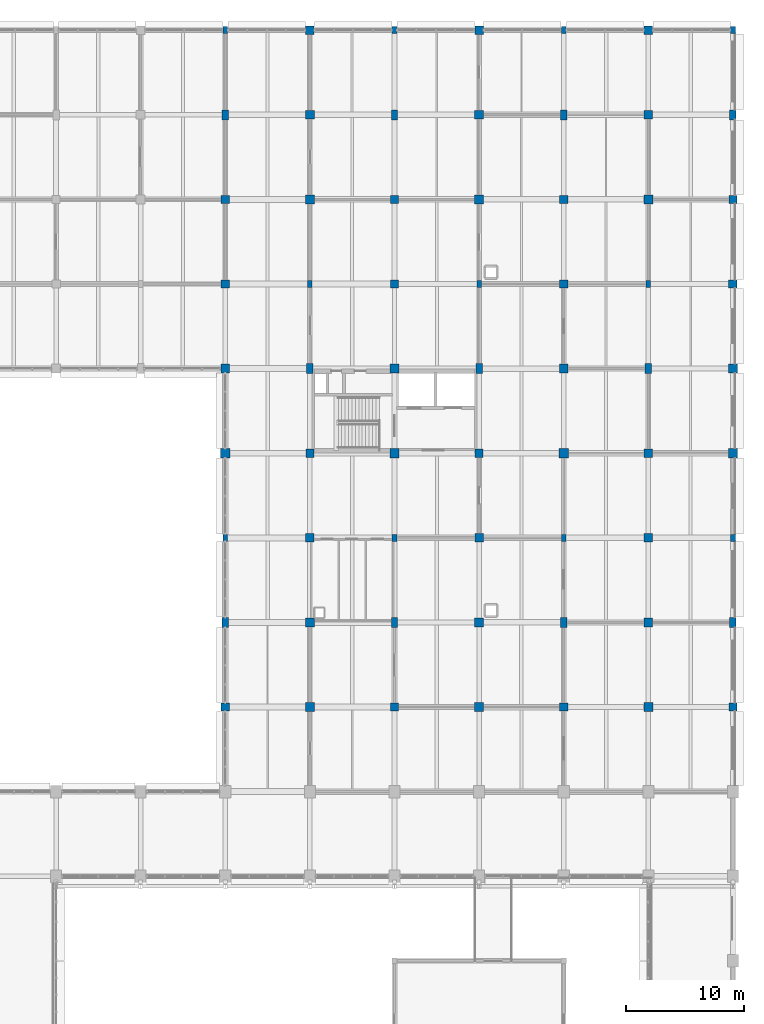
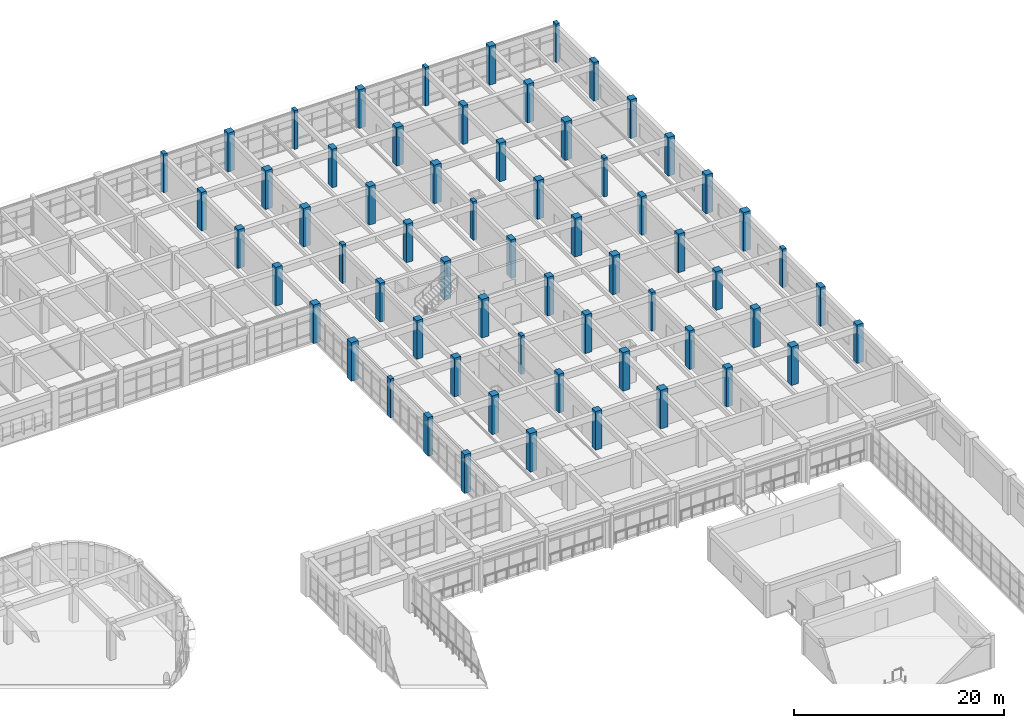
# One storey, part 10 of 171: 63 columns.
"""IFC4 building model written with IfcOpenShell, lengths in metres."""

from ifc_helpers import new_model, si_unit, direction, frame, origin, origin_2d, place, context, subcontext, project, spatial, rectangle, extrude, material, material_profile, profile_set, type_object, element, save


model = new_model("IFC4")

# Units and contexts
model_context = context("Model", 3, precision=1e-05, world=origin(), true_north=direction((0.0, 1.0)))
body_context = subcontext(model_context, "Body", "Model", "MODEL_VIEW")
ifc_project = project(units=[si_unit("LENGTHUNIT", "METRE"), si_unit("AREAUNIT", "SQUARE_METRE"), si_unit("VOLUMEUNIT", "CUBIC_METRE"), si_unit("PLANEANGLEUNIT", "RADIAN"), si_unit("MASSUNIT", "GRAM", prefix="KILO")], contexts=[model_context])

# Site, building, storey
site_placement = place(None, origin())
site = spatial("IfcSite", under=ifc_project, at=site_placement, CompositionType="ELEMENT")
building_placement = place(site_placement, origin())
building = spatial("IfcBuilding", under=site, at=building_placement, Name="Thalmaran Polytechnic", CompositionType="ELEMENT")
storey_placement = place(building_placement, frame((0.0, 0.0, 5.39990234375)))
storey = spatial("IfcBuildingStorey", under=building, at=storey_placement, Name="L01", CompositionType="ELEMENT", Elevation=5.39990234375)

# Columns
ifc_material_1 = material(Name="Concrete C50/60", Category="concrete")
ifc_material_profile_1 = material_profile(ifc_material_1, rectangle(XDim=0.75, YDim=0.75, at=origin_2d()), Name="RC 750x750")
ifc_profile_set_1 = profile_set([ifc_material_profile_1], Name="Concrete C50/60")
column_type_1 = type_object("IfcColumnType", Name="COL-C04", PredefinedType="COLUMN", material=ifc_profile_set_1)
for number, where, z_axis, x_axis, name in (
    (1, (129.60009765625, 93.60009765625, 0.0), (0.0, 0.0, 1.0), (1.0, 0.0, 0.0), "Column C04 L01 (18,13)"),
    (2, (136.800048828125, 72.0, 0.0), (0.0, 0.0, 1.0), (1.0, 0.0, 0.0), "Column C04 L01 (19,10)"),
    (3, (136.800048828125, 115.199951171875, 0.0), (0.0, 0.0, 1.0), (1.0, 0.0, 0.0), "Column C04 L01 (19,16)"),
    (4, (144.0, 93.60009765625, 0.0), (0.0, 0.0, 1.0), (1.0, 0.0, 0.0), "Column C04 L01 (20,13)"),
    (5, (151.199951171875, 72.0, 0.0), (0.0, 0.0, 1.0), (1.0, 0.0, 0.0), "Column C04 L01 (21,10)"),
    (6, (151.199951171875, 115.199951171875, 0.0), (0.0, 0.0, 1.0), (1.0, 0.0, 0.0), "Column C04 L01 (21,16)"),
    (7, (158.39990234375, 93.60009765625, 0.0), (0.0, 0.0, 1.0), (1.0, 0.0, 0.0), "Column C04 L01 (22,13)"),
    (8, (165.60009765625, 72.0, 0.0), (0.0, 0.0, 1.0), (1.0, 0.0, 0.0), "Column C04 L01 (23,10)"),
    (9, (165.60009765625, 115.199951171875, 0.0), (0.0, 0.0, 1.0), (1.0, 0.0, 0.0), "Column C04 L01 (23,16)"),
    (10, (172.800048828125, 93.60009765625, 0.0), (0.0, 0.0, 1.0), (1.0, 0.0, 0.0), "Column C04 L01 (24,13)"),
):
    element("IfcColumn", number, at=place(storey_placement, frame(where, z_axis=z_axis, x_axis=x_axis)), inside=storey, type_object=column_type_1, Name=name, PredefinedType="COLUMN", context=body_context, shape_type="SweptSolid", body=[
        extrude(rectangle(XDim=0.75, YDim=0.75, at=origin_2d()), origin(), (0.0, 0.0, 1.0), 4.5),
    ])
ifc_material_profile_2 = material_profile(ifc_material_1, rectangle(XDim=0.699951171875, YDim=0.699951171875, at=origin_2d()), Name="RC 700x700")
ifc_profile_set_2 = profile_set([ifc_material_profile_2], Name="Concrete C50/60")
column_type_2 = type_object("IfcColumnType", Name="COL-C05", PredefinedType="COLUMN", material=ifc_profile_set_2)
for number, where, z_axis, x_axis, name in (
    (11, (129.60009765625, 64.800048828125, 0.0), (0.0, 0.0, 1.0), (1.0, 0.0, 0.0), "Column C05 L01 (18,9)"),
    (12, (129.60009765625, 108.0, 0.0), (0.0, 0.0, 1.0), (1.0, 0.0, 0.0), "Column C05 L01 (18,15)"),
    (13, (136.800048828125, 86.39990234375, 0.0), (0.0, 0.0, 1.0), (1.0, 0.0, 0.0), "Column C05 L01 (19,12)"),
    (14, (144.0, 64.800048828125, 0.0), (0.0, 0.0, 1.0), (1.0, 0.0, 0.0), "Column C05 L01 (20,9)"),
    (15, (144.0, 108.0, 0.0), (0.0, 0.0, 1.0), (1.0, 0.0, 0.0), "Column C05 L01 (20,15)"),
    (16, (151.199951171875, 86.39990234375, 0.0), (0.0, 0.0, 1.0), (1.0, 0.0, 0.0), "Column C05 L01 (21,12)"),
    (17, (158.39990234375, 64.800048828125, 0.0), (0.0, 0.0, 1.0), (1.0, 0.0, 0.0), "Column C05 L01 (22,9)"),
    (18, (158.39990234375, 108.0, 0.0), (0.0, 0.0, 1.0), (1.0, 0.0, 0.0), "Column C05 L01 (22,15)"),
    (19, (165.60009765625, 86.39990234375, 0.0), (0.0, 0.0, 1.0), (1.0, 0.0, 0.0), "Column C05 L01 (23,12)"),
    (20, (172.800048828125, 64.800048828125, 0.0), (0.0, 0.0, 1.0), (1.0, 0.0, 0.0), "Column C05 L01 (24,9)"),
    (21, (172.800048828125, 108.0, 0.0), (0.0, 0.0, 1.0), (1.0, 0.0, 0.0), "Column C05 L01 (24,15)"),
):
    element("IfcColumn", number, at=place(storey_placement, frame(where, z_axis=z_axis, x_axis=x_axis)), inside=storey, type_object=column_type_2, Name=name, PredefinedType="COLUMN", context=body_context, shape_type="SweptSolid", body=[
        extrude(rectangle(XDim=0.699951171875, YDim=0.699951171875, at=origin_2d()), origin(), (0.0, 0.0, 1.0), 4.5),
    ])
ifc_material_profile_3 = material_profile(ifc_material_1, rectangle(XDim=0.550048828125, YDim=0.85009765625, at=origin_2d()), Name="RC 550x850")
ifc_profile_set_3 = profile_set([ifc_material_profile_3], Name="Concrete C50/60")
column_type_3 = type_object("IfcColumnType", Name="COL-C12", PredefinedType="COLUMN", material=ifc_profile_set_3)
for number, where, z_axis, x_axis, name in (
    (22, (129.60009765625, 72.0, 0.0), (0.0, 0.0, 1.0), (1.0, 0.0, 0.0), "Column C12 L01 (18,10)"),
    (23, (129.60009765625, 115.199951171875, 0.0), (0.0, 0.0, 1.0), (1.0, 0.0, 0.0), "Column C12 L01 (18,16)"),
    (24, (136.800048828125, 93.60009765625, 0.0), (0.0, 0.0, 1.0), (1.0, 0.0, 0.0), "Column C12 L01 (19,13)"),
    (25, (144.0, 72.0, 0.0), (0.0, 0.0, 1.0), (1.0, 0.0, 0.0), "Column C12 L01 (20,10)"),
    (26, (144.0, 115.199951171875, 0.0), (0.0, 0.0, 1.0), (1.0, 0.0, 0.0), "Column C12 L01 (20,16)"),
    (27, (151.199951171875, 93.60009765625, 0.0), (0.0, 0.0, 1.0), (1.0, 0.0, 0.0), "Column C12 L01 (21,13)"),
    (28, (158.39990234375, 72.0, 0.0), (0.0, 0.0, 1.0), (1.0, 0.0, 0.0), "Column C12 L01 (22,10)"),
    (29, (158.39990234375, 115.199951171875, 0.0), (0.0, 0.0, 1.0), (1.0, 0.0, 0.0), "Column C12 L01 (22,16)"),
    (30, (165.60009765625, 93.60009765625, 0.0), (0.0, 0.0, 1.0), (1.0, 0.0, 0.0), "Column C12 L01 (23,13)"),
    (31, (172.800048828125, 72.0, 0.0), (0.0, 0.0, 1.0), (1.0, 0.0, 0.0), "Column C12 L01 (24,10)"),
    (32, (172.800048828125, 115.199951171875, 0.0), (0.0, 0.0, 1.0), (1.0, 0.0, 0.0), "Column C12 L01 (24,16)"),
):
    element("IfcColumn", number, at=place(storey_placement, frame(where, z_axis=z_axis, x_axis=x_axis)), inside=storey, type_object=column_type_3, Name=name, PredefinedType="COLUMN", context=body_context, shape_type="SweptSolid", body=[
        extrude(rectangle(XDim=0.550048828125, YDim=0.85009765625, at=origin_2d()), origin(), (0.0, 0.0, 1.0), 4.5),
    ])
ifc_material_2 = material(Name="Concrete C40/50", Category="concrete")
ifc_material_profile_4 = material_profile(ifc_material_2, rectangle(XDim=0.39990234375, YDim=0.60009765625, at=origin_2d()), Name="RC 400x600")
ifc_profile_set_4 = profile_set([ifc_material_profile_4], Name="Concrete C40/50")
column_type_4 = type_object("IfcColumnType", Name="COL-PL2", PredefinedType="PILASTER", material=ifc_profile_set_4)
for number, where, z_axis, x_axis, name in (
    (33, (129.60009765625, 79.199951171875, 0.0), (0.0, 0.0, 1.0), (1.0, 0.0, 0.0), "Column PL2 L01 (18,11)"),
    (34, (129.60009765625, 122.39990234375, 0.0), (0.0, 0.0, 1.0), (1.0, 0.0, 0.0), "Column PL2 L01 (18,17)"),
    (35, (136.800048828125, 100.800048828125, 0.0), (0.0, 0.0, 1.0), (1.0, 0.0, 0.0), "Column PL2 L01 (19,14)"),
    (36, (144.0, 79.199951171875, 0.0), (0.0, 0.0, 1.0), (1.0, 0.0, 0.0), "Column PL2 L01 (20,11)"),
    (37, (144.0, 122.39990234375, 0.0), (0.0, 0.0, 1.0), (1.0, 0.0, 0.0), "Column PL2 L01 (20,17)"),
    (38, (151.199951171875, 100.800048828125, 0.0), (0.0, 0.0, 1.0), (1.0, 0.0, 0.0), "Column PL2 L01 (21,14)"),
    (39, (158.39990234375, 79.199951171875, 0.0), (0.0, 0.0, 1.0), (1.0, 0.0, 0.0), "Column PL2 L01 (22,11)"),
    (40, (158.39990234375, 122.39990234375, 0.0), (0.0, 0.0, 1.0), (1.0, 0.0, 0.0), "Column PL2 L01 (22,17)"),
    (41, (165.60009765625, 100.800048828125, 0.0), (0.0, 0.0, 1.0), (1.0, 0.0, 0.0), "Column PL2 L01 (23,14)"),
    (42, (172.800048828125, 79.199951171875, 0.0), (0.0, 0.0, 1.0), (1.0, 0.0, 0.0), "Column PL2 L01 (24,11)"),
    (43, (172.800048828125, 122.39990234375, 0.0), (0.0, 0.0, 1.0), (1.0, 0.0, 0.0), "Column PL2 L01 (24,17)"),
):
    element("IfcColumn", number, at=place(storey_placement, frame(where, z_axis=z_axis, x_axis=x_axis)), inside=storey, type_object=column_type_4, Name=name, PredefinedType="PILASTER", context=body_context, shape_type="SweptSolid", body=[
        extrude(rectangle(XDim=0.39990234375, YDim=0.60009765625, at=origin_2d()), origin(), (0.0, 0.0, 1.0), 4.5),
    ])
ifc_material_profile_5 = material_profile(ifc_material_1, rectangle(XDim=0.780029296875, YDim=0.780029296875, at=origin_2d()), Name="RC 780x780")
ifc_profile_set_5 = profile_set([ifc_material_profile_5], Name="Concrete C50/60")
column_type_5 = type_object("IfcColumnType", Name="COL-ZC03", PredefinedType="COLUMN", material=ifc_profile_set_5)
for number, where, z_axis, x_axis, name in (
    (44, (129.60009765625, 86.39990234375, 0.0), (0.0, 0.0, 1.0), (1.0, 0.0, 0.0), "Column ZC03 L01 (18,12)"),
    (45, (136.800048828125, 64.800048828125, 0.0), (0.0, 0.0, 1.0), (1.0, 0.0, 0.0), "Column ZC03 L01 (19,9)"),
    (46, (136.800048828125, 108.0, 0.0), (0.0, 0.0, 1.0), (1.0, 0.0, 0.0), "Column ZC03 L01 (19,15)"),
    (47, (144.0, 86.39990234375, 0.0), (0.0, 0.0, 1.0), (1.0, 0.0, 0.0), "Column ZC03 L01 (20,12)"),
    (48, (151.199951171875, 64.800048828125, 0.0), (0.0, 0.0, 1.0), (1.0, 0.0, 0.0), "Column ZC03 L01 (21,9)"),
    (49, (151.199951171875, 108.0, 0.0), (0.0, 0.0, 1.0), (1.0, 0.0, 0.0), "Column ZC03 L01 (21,15)"),
    (50, (158.39990234375, 86.39990234375, 0.0), (0.0, 0.0, 1.0), (1.0, 0.0, 0.0), "Column ZC03 L01 (22,12)"),
    (51, (165.60009765625, 64.800048828125, 0.0), (0.0, 0.0, 1.0), (1.0, 0.0, 0.0), "Column ZC03 L01 (23,9)"),
    (52, (165.60009765625, 108.0, 0.0), (0.0, 0.0, 1.0), (1.0, 0.0, 0.0), "Column ZC03 L01 (23,15)"),
    (53, (172.800048828125, 86.39990234375, 0.0), (0.0, 0.0, 1.0), (1.0, 0.0, 0.0), "Column ZC03 L01 (24,12)"),
):
    element("IfcColumn", number, at=place(storey_placement, frame(where, z_axis=z_axis, x_axis=x_axis)), inside=storey, type_object=column_type_5, Name=name, PredefinedType="COLUMN", context=body_context, shape_type="SweptSolid", body=[
        extrude(rectangle(XDim=0.780029296875, YDim=0.780029296875, at=origin_2d()), origin(), (0.0, 0.0, 1.0), 4.5),
    ])
ifc_material_profile_6 = material_profile(ifc_material_1, rectangle(XDim=0.719970703125, YDim=0.719970703125, at=origin_2d()), Name="RC 720x720")
ifc_profile_set_6 = profile_set([ifc_material_profile_6], Name="Concrete C50/60")
column_type_6 = type_object("IfcColumnType", Name="COL-ZC04", PredefinedType="COLUMN", material=ifc_profile_set_6)
for number, where, z_axis, x_axis, name in (
    (54, (129.60009765625, 100.800048828125, 0.0), (0.0, 0.0, 1.0), (1.0, 0.0, 0.0), "Column ZC04 L01 (18,14)"),
    (55, (136.800048828125, 79.199951171875, 0.0), (0.0, 0.0, 1.0), (1.0, 0.0, 0.0), "Column ZC04 L01 (19,11)"),
    (56, (136.800048828125, 122.39990234375, 0.0), (0.0, 0.0, 1.0), (1.0, 0.0, 0.0), "Column ZC04 L01 (19,17)"),
    (57, (144.0, 100.800048828125, 0.0), (0.0, 0.0, 1.0), (1.0, 0.0, 0.0), "Column ZC04 L01 (20,14)"),
    (58, (151.199951171875, 79.199951171875, 0.0), (0.0, 0.0, 1.0), (1.0, 0.0, 0.0), "Column ZC04 L01 (21,11)"),
    (59, (151.199951171875, 122.39990234375, 0.0), (0.0, 0.0, 1.0), (1.0, 0.0, 0.0), "Column ZC04 L01 (21,17)"),
    (60, (158.39990234375, 100.800048828125, 0.0), (0.0, 0.0, 1.0), (1.0, 0.0, 0.0), "Column ZC04 L01 (22,14)"),
    (61, (165.60009765625, 79.199951171875, 0.0), (0.0, 0.0, 1.0), (1.0, 0.0, 0.0), "Column ZC04 L01 (23,11)"),
    (62, (165.60009765625, 122.39990234375, 0.0), (0.0, 0.0, 1.0), (1.0, 0.0, 0.0), "Column ZC04 L01 (23,17)"),
    (63, (172.800048828125, 100.800048828125, 0.0), (0.0, 0.0, 1.0), (1.0, 0.0, 0.0), "Column ZC04 L01 (24,14)"),
):
    element("IfcColumn", number, at=place(storey_placement, frame(where, z_axis=z_axis, x_axis=x_axis)), inside=storey, type_object=column_type_6, Name=name, PredefinedType="COLUMN", context=body_context, shape_type="SweptSolid", body=[
        extrude(rectangle(XDim=0.719970703125, YDim=0.719970703125, at=origin_2d()), origin(), (0.0, 0.0, 1.0), 4.5),
    ])

save(model, "model.ifc")
